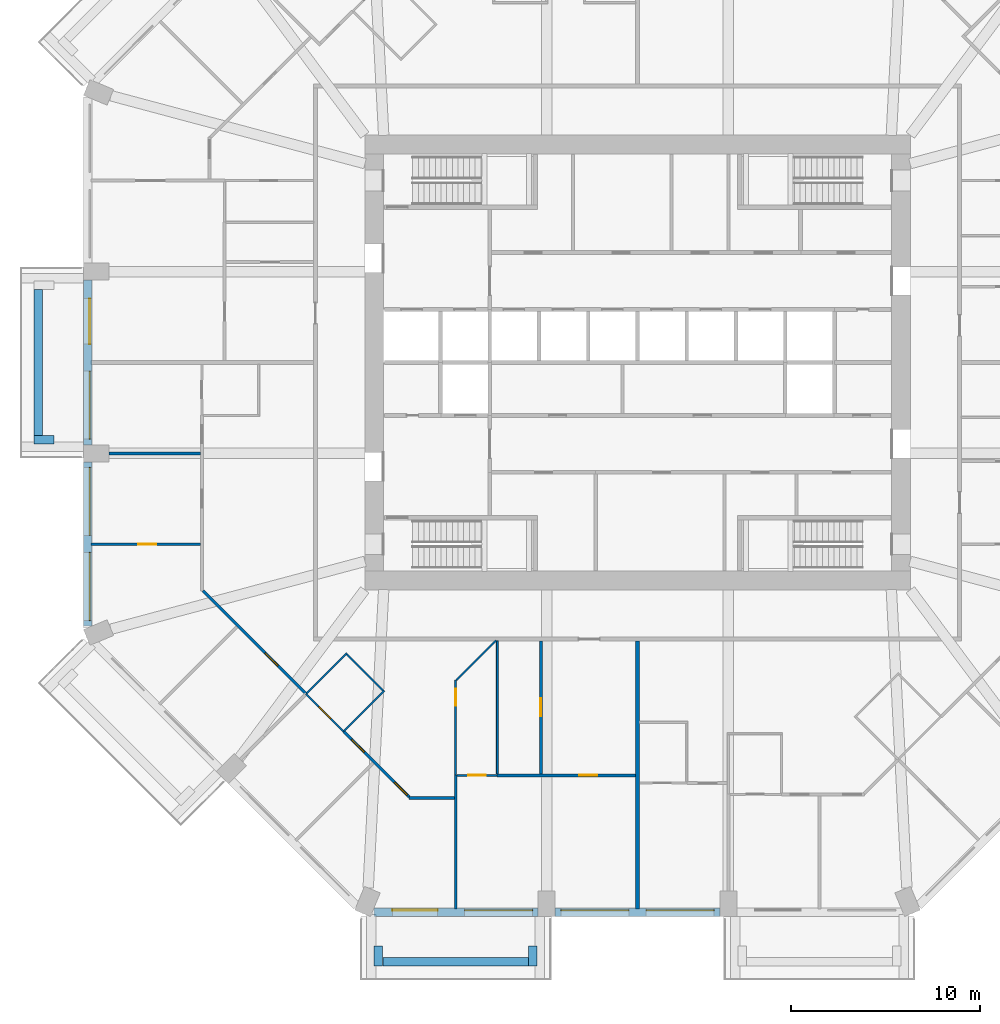
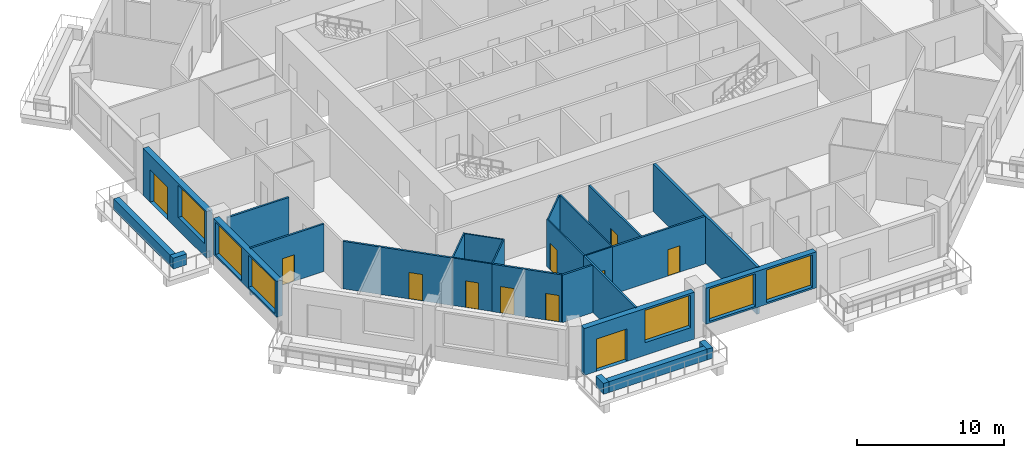
# One storey, part 3 of 13: 26 walls, 11 doors, 6 windows, 17 openings.
"""IFC4 building model written with IfcOpenShell, lengths in metres."""

from ifc_helpers import new_model, si_unit, direction, frame, frame_2d, origin, place, context, subcontext, project, spatial, rectangle, extrude, material, layer, layer_set, type_object, element, fill, save


model = new_model("IFC4")

# Units and contexts
model_context = context("Model", 3, precision=1e-05, world=origin(), true_north=direction((0.0, 1.0)))
body_context = subcontext(model_context, "Body", "Model", "MODEL_VIEW")
ifc_project = project(units=[si_unit("LENGTHUNIT", "METRE"), si_unit("AREAUNIT", "SQUARE_METRE"), si_unit("VOLUMEUNIT", "CUBIC_METRE"), si_unit("PLANEANGLEUNIT", "RADIAN"), si_unit("MASSUNIT", "GRAM", prefix="KILO")], contexts=[model_context])

# Site, building, storey
site_placement = place(None, origin())
site = spatial("IfcSite", under=ifc_project, at=site_placement, CompositionType="ELEMENT")
building_placement = place(site_placement, origin())
building = spatial("IfcBuilding", under=site, at=building_placement, Name="Msitu Wima Residences", CompositionType="ELEMENT")
storey_placement = place(building_placement, frame((0.0, 0.0, 38.10009765625)))
storey = spatial("IfcBuildingStorey", under=building, at=storey_placement, Name="L08", CompositionType="ELEMENT", Elevation=38.10009765625)

# Walls
ifc_material_1 = material(Name="Facing brick")
ifc_layer_1 = layer(ifc_material_1, 0.06494140625, Name="Facing brick")
ifc_material_2 = material(Name="Concrete C40/50", Category="concrete")
ifc_layer_2 = layer(ifc_material_2, 0.156005859375, Name="Concrete C40/50")
ifc_material_3 = material(Name="Waterproofing membrane")
ifc_layer_3 = layer(ifc_material_3, 0.00390625, Name="Waterproofing membrane")
ifc_material_4 = material(Name="Planting soil and planting")
ifc_layer_4 = layer(ifc_material_4, 0.22509765625, Name="Planting soil and planting")
ifc_layer_set_1 = layer_set([ifc_layer_1, ifc_layer_2, ifc_layer_3, ifc_layer_4], Name="Concrete C40/50")
wall_type_1 = type_object("IfcWallType", Name="Balcony planter PLANTER PL450", PredefinedType="USERDEFINED", material=ifc_layer_set_1)
wall_1_placement = place(storey_placement, frame((-31.625, 3.85009765625, 0.0), z_axis=(0.0, 0.0, 1.0), x_axis=(0.0, -1.0, 0.0)))
element("IfcWall", 1, at=wall_1_placement, inside=storey, type_object=wall_type_1, Name="Balcony planter W1 L08", ObjectType="PLANTER", PredefinedType="USERDEFINED", context=body_context, shape_type="SweptSolid", body=[
    extrude(rectangle(XDim=7.7001953125, YDim=0.449951171875, at=frame_2d((3.85009765625, 0.0))), origin(), (0.0, 0.0, 1.0), 0.89990234375),
])
wall_2_placement = place(storey_placement, frame((-30.800048828125, -4.074951171875, 0.0), z_axis=(0.0, 0.0, 1.0), x_axis=(-1.0, 0.0, 0.0)))
element("IfcWall", 2, at=wall_2_placement, inside=storey, type_object=wall_type_1, Name="Balcony planter W1 L08", ObjectType="PLANTER", PredefinedType="USERDEFINED", context=body_context, shape_type="SweptSolid", body=[
    extrude(rectangle(XDim=1.050048828125, YDim=0.449951171875, at=frame_2d((0.52490234375, 0.0))), origin(), (0.0, 0.0, 1.0), 0.89990234375),
])
wall_3_placement = place(storey_placement, frame((-13.449951171875, -31.625, 0.0), z_axis=(0.0, 0.0, 1.0), x_axis=(1.0, 0.0, 0.0)))
element("IfcWall", 3, at=wall_3_placement, inside=storey, type_object=wall_type_1, Name="Balcony planter S0 L08", ObjectType="PLANTER", PredefinedType="USERDEFINED", context=body_context, shape_type="SweptSolid", body=[
    extrude(rectangle(XDim=7.699951171875, YDim=0.449951171875, at=frame_2d((3.85009765625, 0.0))), origin(), (0.0, 0.0, 1.0), 0.89990234375),
])
for number, where, z_axis, x_axis, name in (
    (4, (-13.675048828125, -30.800048828125, 0.0), (0.0, 0.0, 1.0), (0.0, -1.0, 0.0), "Balcony planter S0 L08"),
    (5, (-5.52490234375, -30.800048828125, 0.0), (0.0, 0.0, 1.0), (0.0, -1.0, 0.0), "Balcony planter S0 L08"),
):
    element("IfcWall", number, at=place(storey_placement, frame(where, z_axis=z_axis, x_axis=x_axis)), inside=storey, type_object=wall_type_1, Name=name, ObjectType="PLANTER", PredefinedType="USERDEFINED", context=body_context, shape_type="SweptSolid", body=[
        extrude(rectangle(XDim=1.050048828125, YDim=0.449951171875, at=frame_2d((0.52490234375, 0.0))), origin(), (0.0, 0.0, 1.0), 0.89990234375),
    ])

# Wall, openings, door, window
ifc_material_5 = material(Name="Brick (red buff mix)", Category="masonry")
ifc_layer_5 = layer(ifc_material_5, 0.449951171875)
ifc_layer_set_2 = layer_set([ifc_layer_5], Name="Brick (red buff mix)")
wall_type_2 = type_object("IfcWallType", Name="Brick infill wall BW450", PredefinedType="SOLIDWALL", material=ifc_layer_set_2)
wall_4_placement = place(storey_placement, frame((-29.02490234375, 4.35009765625, 0.0), z_axis=(0.0, 0.0, 1.0), x_axis=(0.0, -1.0, 0.0)))
wall_4 = element("IfcWall", 6, at=wall_4_placement, inside=storey, type_object=wall_type_2, Name="Brick infill wall L08 W1", PredefinedType="SOLIDWALL", context=body_context, shape_type="SweptSolid", body=[
    extrude(rectangle(XDim=8.7001953125, YDim=0.449951171875, at=frame_2d((4.35009765625, 0.0))), origin(), (0.0, 0.0, 1.0), 3.89990234375),
])
opening_1_placement = place(wall_4_placement, frame((0.97509765625, 0.0, 0.0)))
opening_1 = element("IfcOpeningElement", 7, at=opening_1_placement, cuts=wall_4, Name="Opening D08-10.010", PredefinedType="OPENING", context=body_context, shape_type="SweptSolid", body=[
    extrude(rectangle(XDim=2.39990234375, YDim=2.699951171875, at=frame_2d((1.199951171875, 1.35009765625))), frame((0.0, 0.23486328125, 0.0), z_axis=(0.0, -1.0, 0.0), x_axis=(1.0, 0.0, 0.0)), (0.0, 0.0, 1.0), 0.469970703125),
])
opening_2_placement = place(wall_4_placement, frame((4.800048828125, 0.0, 1.050048828125)))
opening_2 = element("IfcOpeningElement", 8, at=opening_2_placement, cuts=wall_4, Name="Opening W08-10.028", PredefinedType="OPENING", context=body_context, shape_type="SweptSolid", body=[
    extrude(rectangle(XDim=3.60009765625, YDim=2.699951171875, at=frame_2d((1.800048828125, 1.35009765625))), frame((0.0, 0.23486328125, 0.0), z_axis=(0.0, -1.0, 0.0), x_axis=(1.0, 0.0, 0.0)), (0.0, 0.0, 1.0), 0.469970703125),
])
ifc_material_6 = material(Name="Anodised aluminium, bronze finish, clear low-emissivity double glazing", Category="aluminium")
door_type_1 = type_object("IfcDoorType", Name="Balcony door D2400x2700", OperationType="SLIDING_TO_LEFT", PredefinedType="DOOR", material=ifc_material_6)
door_1_placement = place(opening_1_placement, origin())
door_1 = element("IfcDoor", 9, at=door_1_placement, inside=storey, type_object=door_type_1, Name="Balcony door L08 W1", OperationType="SINGLE_SWING_LEFT", OverallHeight=2.699951171875, OverallWidth=2.39990234375, PredefinedType="DOOR", context=body_context, shape_type="SweptSolid", body=[
    extrude(rectangle(XDim=2.39990234375, YDim=2.699951171875, at=frame_2d((1.199951171875, 1.35009765625))), frame((0.0, 0.1298828125, 0.0), z_axis=(0.0, -1.0, 0.0), x_axis=(1.0, 0.0, 0.0)), (0.0, 0.0, 1.0), 0.050048828125),
])
fill(opening_1, door_1)
window_type = type_object("IfcWindowType", Name="Window W3600x2700", PartitioningType="DOUBLE_PANEL_VERTICAL", PredefinedType="WINDOW", material=ifc_material_6)
window_1_placement = place(opening_2_placement, origin())
window_1 = element("IfcWindow", 10, at=window_1_placement, inside=storey, type_object=window_type, Name="Window L08 W1.2", OverallHeight=2.699951171875, OverallWidth=3.60009765625, PartitioningType="SINGLE_PANEL", PredefinedType="WINDOW", context=body_context, shape_type="SweptSolid", body=[
    extrude(rectangle(XDim=3.60009765625, YDim=2.699951171875, at=frame_2d((1.800048828125, 1.35009765625))), frame((0.0, 0.135009765625, 0.0), z_axis=(0.0, -1.0, 0.0), x_axis=(1.0, 0.0, 0.0)), (0.0, 0.0, 1.0), 0.06005859375),
])
fill(opening_2, window_1)

# Wall, openings, windows
wall_5_placement = place(storey_placement, frame((-29.02490234375, -5.25, 0.89990234375), z_axis=(0.0, 0.0, 1.0), x_axis=(0.0, -1.0, 0.0)))
wall_5 = element("IfcWall", 11, at=wall_5_placement, inside=storey, type_object=wall_type_2, Name="Brick infill wall L08 W2", PredefinedType="SOLIDWALL", context=body_context, shape_type="SweptSolid", body=[
    extrude(rectangle(XDim=8.662841796875, YDim=0.449951171875, at=frame_2d((4.33154296875, 0.0))), origin(), (0.0, 0.0, 1.0), 3.0),
])
opening_3_placement = place(wall_5_placement, frame((0.281494140625, 0.0, 0.14990234375)))
opening_3 = element("IfcOpeningElement", 12, at=opening_3_placement, cuts=wall_5, Name="Opening W08-10.029", PredefinedType="OPENING", context=body_context, shape_type="SweptSolid", body=[
    extrude(rectangle(XDim=3.60009765625, YDim=2.699951171875, at=frame_2d((1.800048828125, 1.35009765625))), frame((0.0, 0.23486328125, 0.0), z_axis=(0.0, -1.0, 0.0), x_axis=(1.0, 0.0, 0.0)), (0.0, 0.0, 1.0), 0.469970703125),
])
opening_4_placement = place(wall_5_placement, frame((4.781494140625, 0.0, 0.14990234375)))
opening_4 = element("IfcOpeningElement", 13, at=opening_4_placement, cuts=wall_5, Name="Opening W08-10.030", PredefinedType="OPENING", context=body_context, shape_type="SweptSolid", body=[
    extrude(rectangle(XDim=3.60009765625, YDim=2.699951171875, at=frame_2d((1.800048828125, 1.35009765625))), frame((0.0, 0.23486328125, 0.0), z_axis=(0.0, -1.0, 0.0), x_axis=(1.0, 0.0, 0.0)), (0.0, 0.0, 1.0), 0.469970703125),
])
window_2_placement = place(opening_3_placement, origin())
window_2 = element("IfcWindow", 14, at=window_2_placement, inside=storey, type_object=window_type, Name="Window L08 W2.1", OverallHeight=2.699951171875, OverallWidth=3.60009765625, PartitioningType="SINGLE_PANEL", PredefinedType="WINDOW", context=body_context, shape_type="SweptSolid", body=[
    extrude(rectangle(XDim=3.60009765625, YDim=2.699951171875, at=frame_2d((1.800048828125, 1.35009765625))), frame((0.0, 0.135009765625, 0.0), z_axis=(0.0, -1.0, 0.0), x_axis=(1.0, 0.0, 0.0)), (0.0, 0.0, 1.0), 0.06005859375),
])
fill(opening_3, window_2)
window_3_placement = place(opening_4_placement, origin())
window_3 = element("IfcWindow", 15, at=window_3_placement, inside=storey, type_object=window_type, Name="Window L08 W2.2", OverallHeight=2.699951171875, OverallWidth=3.60009765625, PartitioningType="SINGLE_PANEL", PredefinedType="WINDOW", context=body_context, shape_type="SweptSolid", body=[
    extrude(rectangle(XDim=3.60009765625, YDim=2.699951171875, at=frame_2d((1.800048828125, 1.35009765625))), frame((0.0, 0.135009765625, 0.0), z_axis=(0.0, -1.0, 0.0), x_axis=(1.0, 0.0, 0.0)), (0.0, 0.0, 1.0), 0.06005859375),
])
fill(opening_4, window_3)

# Wall, openings, door, window
wall_6_placement = place(storey_placement, frame((-13.912841796875, -29.02490234375, 0.0), z_axis=(0.0, 0.0, 1.0), x_axis=(1.0, 0.0, 0.0)))
wall_6 = element("IfcWall", 16, at=wall_6_placement, inside=storey, type_object=wall_type_2, Name="Brick infill wall L08 S0", PredefinedType="SOLIDWALL", context=body_context, shape_type="SweptSolid", body=[
    extrude(rectangle(XDim=8.662841796875, YDim=0.449951171875, at=frame_2d((4.33154296875, 0.0))), origin(), (0.0, 0.0, 1.0), 3.89990234375),
])
opening_5_placement = place(wall_6_placement, frame((0.9658203125, 0.0, 0.0)))
opening_5 = element("IfcOpeningElement", 17, at=opening_5_placement, cuts=wall_6, Name="Opening D08-10.006", PredefinedType="OPENING", context=body_context, shape_type="SweptSolid", body=[
    extrude(rectangle(XDim=2.39990234375, YDim=2.699951171875, at=frame_2d((1.199951171875, 1.35009765625))), frame((0.0, 0.23486328125, 0.0), z_axis=(0.0, -1.0, 0.0), x_axis=(1.0, 0.0, 0.0)), (0.0, 0.0, 1.0), 0.469970703125),
])
opening_6_placement = place(wall_6_placement, frame((4.781494140625, 0.0, 1.050048828125)))
opening_6 = element("IfcOpeningElement", 18, at=opening_6_placement, cuts=wall_6, Name="Opening W08-10.016", PredefinedType="OPENING", context=body_context, shape_type="SweptSolid", body=[
    extrude(rectangle(XDim=3.60009765625, YDim=2.699951171875, at=frame_2d((1.800048828125, 1.35009765625))), frame((0.0, 0.23486328125, 0.0), z_axis=(0.0, -1.0, 0.0), x_axis=(1.0, 0.0, 0.0)), (0.0, 0.0, 1.0), 0.469970703125),
])
door_2_placement = place(opening_5_placement, origin())
door_2 = element("IfcDoor", 19, at=door_2_placement, inside=storey, type_object=door_type_1, Name="Balcony door L08 S0", OperationType="SINGLE_SWING_LEFT", OverallHeight=2.699951171875, OverallWidth=2.39990234375, PredefinedType="DOOR", context=body_context, shape_type="SweptSolid", body=[
    extrude(rectangle(XDim=2.39990234375, YDim=2.699951171875, at=frame_2d((1.199951171875, 1.35009765625))), frame((0.0, 0.1298828125, 0.0), z_axis=(0.0, -1.0, 0.0), x_axis=(1.0, 0.0, 0.0)), (0.0, 0.0, 1.0), 0.050048828125),
])
fill(opening_5, door_2)
window_4_placement = place(opening_6_placement, origin())
window_4 = element("IfcWindow", 20, at=window_4_placement, inside=storey, type_object=window_type, Name="Window L08 S0.2", OverallHeight=2.699951171875, OverallWidth=3.60009765625, PartitioningType="SINGLE_PANEL", PredefinedType="WINDOW", context=body_context, shape_type="SweptSolid", body=[
    extrude(rectangle(XDim=3.60009765625, YDim=2.699951171875, at=frame_2d((1.800048828125, 1.35009765625))), frame((0.0, 0.135009765625, 0.0), z_axis=(0.0, -1.0, 0.0), x_axis=(1.0, 0.0, 0.0)), (0.0, 0.0, 1.0), 0.06005859375),
])
fill(opening_6, window_4)

# Wall, openings, windows
wall_7_placement = place(storey_placement, frame((-4.35009765625, -29.02490234375, 0.89990234375), z_axis=(0.0, 0.0, 1.0), x_axis=(1.0, 0.0, 0.0)))
wall_7 = element("IfcWall", 21, at=wall_7_placement, inside=storey, type_object=wall_type_2, Name="Brick infill wall L08 S1", PredefinedType="SOLIDWALL", context=body_context, shape_type="SweptSolid", body=[
    extrude(rectangle(XDim=8.7001953125, YDim=0.449951171875, at=frame_2d((4.35009765625, 0.0))), origin(), (0.0, 0.0, 1.0), 3.0),
])
opening_7_placement = place(wall_7_placement, frame((0.300048828125, 0.0, 0.14990234375)))
opening_7 = element("IfcOpeningElement", 22, at=opening_7_placement, cuts=wall_7, Name="Opening W08-10.017", PredefinedType="OPENING", context=body_context, shape_type="SweptSolid", body=[
    extrude(rectangle(XDim=3.60009765625, YDim=2.699951171875, at=frame_2d((1.800048828125, 1.35009765625))), frame((0.0, 0.23486328125, 0.0), z_axis=(0.0, -1.0, 0.0), x_axis=(1.0, 0.0, 0.0)), (0.0, 0.0, 1.0), 0.469970703125),
])
opening_8_placement = place(wall_7_placement, frame((4.800048828125, 0.0, 0.14990234375)))
opening_8 = element("IfcOpeningElement", 23, at=opening_8_placement, cuts=wall_7, Name="Opening W08-10.018", PredefinedType="OPENING", context=body_context, shape_type="SweptSolid", body=[
    extrude(rectangle(XDim=3.60009765625, YDim=2.699951171875, at=frame_2d((1.800048828125, 1.35009765625))), frame((0.0, 0.23486328125, 0.0), z_axis=(0.0, -1.0, 0.0), x_axis=(1.0, 0.0, 0.0)), (0.0, 0.0, 1.0), 0.469970703125),
])
window_5_placement = place(opening_7_placement, origin())
window_5 = element("IfcWindow", 24, at=window_5_placement, inside=storey, type_object=window_type, Name="Window L08 S1.1", OverallHeight=2.699951171875, OverallWidth=3.60009765625, PartitioningType="SINGLE_PANEL", PredefinedType="WINDOW", context=body_context, shape_type="SweptSolid", body=[
    extrude(rectangle(XDim=3.60009765625, YDim=2.699951171875, at=frame_2d((1.800048828125, 1.35009765625))), frame((0.0, 0.135009765625, 0.0), z_axis=(0.0, -1.0, 0.0), x_axis=(1.0, 0.0, 0.0)), (0.0, 0.0, 1.0), 0.06005859375),
])
fill(opening_7, window_5)
window_6_placement = place(opening_8_placement, origin())
window_6 = element("IfcWindow", 25, at=window_6_placement, inside=storey, type_object=window_type, Name="Window L08 S1.2", OverallHeight=2.699951171875, OverallWidth=3.60009765625, PartitioningType="SINGLE_PANEL", PredefinedType="WINDOW", context=body_context, shape_type="SweptSolid", body=[
    extrude(rectangle(XDim=3.60009765625, YDim=2.699951171875, at=frame_2d((1.800048828125, 1.35009765625))), frame((0.0, 0.135009765625, 0.0), z_axis=(0.0, -1.0, 0.0), x_axis=(1.0, 0.0, 0.0)), (0.0, 0.0, 1.0), 0.06005859375),
])
fill(opening_8, window_6)

# Wall, opening, door
ifc_material_7 = material(Name="Plaster")
ifc_layer_6 = layer(ifc_material_7, 0.011962890625, Name="Plaster")
ifc_material_8 = material(Name="Concrete blockwork", Category="masonry")
ifc_layer_7 = layer(ifc_material_8, 0.1259765625, Name="Concrete blockwork")
ifc_layer_8 = layer(ifc_material_7, 0.011962890625, Name="Plaster")
ifc_layer_set_3 = layer_set([ifc_layer_6, ifc_layer_7, ifc_layer_8], Name="Concrete blockwork")
wall_type_3 = type_object("IfcWallType", Name="Partition PW150", PredefinedType="PARTITIONING", material=ifc_layer_set_3)
wall_8_placement = place(storey_placement, frame((-28.85498046875, -9.60009765625, 0.0), z_axis=(0.0, 0.0, 1.0), x_axis=(1.0, 0.0, 0.0)))
wall_8 = element("IfcWall", 26, at=wall_8_placement, inside=storey, type_object=wall_type_3, Name="Partition", PredefinedType="PARTITIONING", context=body_context, shape_type="SweptSolid", body=[
    extrude(rectangle(XDim=5.780029296875, YDim=0.14990234375, at=frame_2d((2.89013671875, 0.0))), origin(), (0.0, 0.0, 1.0), 3.949951171875),
])
opening_9_placement = place(wall_8_placement, frame((2.5, 0.0, 0.0)))
opening_9 = element("IfcOpeningElement", 27, at=opening_9_placement, cuts=wall_8, Name="Opening D08-10.069", PredefinedType="OPENING", context=body_context, shape_type="SweptSolid", body=[
    extrude(rectangle(XDim=0.949951171875, YDim=2.199951171875, at=frame_2d((0.47509765625, 1.10009765625))), frame((0.0, 0.0849609375, 0.0), z_axis=(0.0, -1.0, 0.0), x_axis=(1.0, 0.0, 0.0)), (0.0, 0.0, 1.0), 0.169921875),
])
ifc_material_9 = material(Name="Timber flush door", Category="wood")
door_type_2 = type_object("IfcDoorType", Name="Room door D12 950x2200", OperationType="SINGLE_SWING_LEFT", PredefinedType="DOOR", material=ifc_material_9)
door_3_placement = place(opening_9_placement, origin())
door_3 = element("IfcDoor", 28, at=door_3_placement, inside=storey, type_object=door_type_2, Name="Room door", OperationType="SINGLE_SWING_LEFT", OverallHeight=2.199951171875, OverallWidth=0.949951171875, PredefinedType="DOOR", context=body_context, shape_type="SweptSolid", body=[
    extrude(rectangle(XDim=0.949951171875, YDim=2.199951171875, at=frame_2d((0.47509765625, 1.10009765625))), frame((0.0, 0.02490234375, 0.0), z_axis=(0.0, -1.0, 0.0), x_axis=(1.0, 0.0, 0.0)), (0.0, 0.0, 1.0), 0.050048828125),
])
fill(opening_9, door_3)

# Wall
wall_9_placement = place(storey_placement, frame((-27.89990234375, -4.800048828125, 0.0), z_axis=(0.0, 0.0, 1.0), x_axis=(1.0, 0.0, 0.0)))
element("IfcWall", 29, at=wall_9_placement, inside=storey, type_object=wall_type_3, Name="Partition", PredefinedType="PARTITIONING", context=body_context, shape_type="SweptSolid", body=[
    extrude(rectangle(XDim=4.824951171875, YDim=0.14990234375, at=frame_2d((2.41259765625, 0.0))), origin(), (0.0, 0.0, 1.0), 3.25),
])

# Wall, opening, door
wall_10_placement = place(storey_placement, frame((-22.947021484375, -12.050537109375, 0.0), z_axis=(0.0, 0.0, 1.0), x_axis=(0.707106781187, -0.707106781187, 0.0)))
wall_10 = element("IfcWall", 30, at=wall_10_placement, inside=storey, type_object=wall_type_3, Name="Partition", PredefinedType="PARTITIONING", context=body_context, shape_type="SweptSolid", body=[
    extrude(rectangle(XDim=7.705078125, YDim=0.14990234375, at=frame_2d((3.8525390625, 0.0))), origin(), (0.0, 0.0, 1.0), 3.949951171875),
])
opening_10_placement = place(wall_10_placement, frame((4.64990234375, 0.0, 0.0)))
opening_10 = element("IfcOpeningElement", 31, at=opening_10_placement, cuts=wall_10, Name="Opening D08-10.064", PredefinedType="OPENING", context=body_context, shape_type="SweptSolid", body=[
    extrude(rectangle(XDim=0.949951171875, YDim=2.199951171875, at=frame_2d((0.47509765625, 1.10009765625))), frame((0.0, 0.0849609375, 0.0), z_axis=(0.0, -1.0, 0.0), x_axis=(1.0, 0.0, 0.0)), (0.0, 0.0, 1.0), 0.169921875),
])
door_4_placement = place(opening_10_placement, origin())
door_4 = element("IfcDoor", 32, at=door_4_placement, inside=storey, type_object=door_type_2, Name="Room door", OperationType="SINGLE_SWING_RIGHT", OverallHeight=2.199951171875, OverallWidth=0.949951171875, PredefinedType="DOOR", context=body_context, shape_type="SweptSolid", body=[
    extrude(rectangle(XDim=0.949951171875, YDim=2.199951171875, at=frame_2d((0.47509765625, 1.10009765625))), frame((0.0, 0.02490234375, 0.0), z_axis=(0.0, -1.0, 0.0), x_axis=(1.0, 0.0, 0.0)), (0.0, 0.0, 1.0), 0.050048828125),
])
fill(opening_10, door_4)

# Wall, openings, doors
wall_11_placement = place(storey_placement, frame((-15.518798828125, -19.478759765625, 0.0), z_axis=(0.0, 0.0, 1.0), x_axis=(0.707106781187, -0.707106781187, 0.0)))
wall_11 = element("IfcWall", 33, at=wall_11_placement, inside=storey, type_object=wall_type_3, Name="Partition", PredefinedType="PARTITIONING", context=body_context, shape_type="SweptSolid", body=[
    extrude(rectangle(XDim=4.90478515625, YDim=0.14990234375, at=frame_2d((2.452392578125, 0.0))), origin(), (0.0, 0.0, 1.0), 3.949951171875),
])
opening_11_placement = place(wall_11_placement, frame((0.60009765625, 0.0, 0.0)))
opening_11 = element("IfcOpeningElement", 34, at=opening_11_placement, cuts=wall_11, Name="Opening D08-10.065", PredefinedType="OPENING", context=body_context, shape_type="SweptSolid", body=[
    extrude(rectangle(XDim=0.949951171875, YDim=2.199951171875, at=frame_2d((0.47509765625, 1.10009765625))), frame((0.0, 0.0849609375, 0.0), z_axis=(0.0, -1.0, 0.0), x_axis=(1.0, 0.0, 0.0)), (0.0, 0.0, 1.0), 0.169921875),
])
opening_12_placement = place(wall_11_placement, frame((3.800048828125, 0.0, 0.0)))
opening_12 = element("IfcOpeningElement", 35, at=opening_12_placement, cuts=wall_11, Name="Opening D08-10.070", PredefinedType="OPENING", context=body_context, shape_type="SweptSolid", body=[
    extrude(rectangle(XDim=0.949951171875, YDim=2.199951171875, at=frame_2d((0.47509765625, 1.10009765625))), frame((0.0, 0.0849609375, 0.0), z_axis=(0.0, -1.0, 0.0), x_axis=(1.0, 0.0, 0.0)), (0.0, 0.0, 1.0), 0.169921875),
])
door_5_placement = place(opening_11_placement, origin())
door_5 = element("IfcDoor", 36, at=door_5_placement, inside=storey, type_object=door_type_2, Name="Room door", OperationType="SINGLE_SWING_LEFT", OverallHeight=2.199951171875, OverallWidth=0.949951171875, PredefinedType="DOOR", context=body_context, shape_type="SweptSolid", body=[
    extrude(rectangle(XDim=0.949951171875, YDim=2.199951171875, at=frame_2d((0.47509765625, 1.10009765625))), frame((0.0, 0.02490234375, 0.0), z_axis=(0.0, -1.0, 0.0), x_axis=(1.0, 0.0, 0.0)), (0.0, 0.0, 1.0), 0.050048828125),
])
fill(opening_11, door_5)
door_6_placement = place(opening_12_placement, origin())
door_6 = element("IfcDoor", 37, at=door_6_placement, inside=storey, type_object=door_type_2, Name="Room door", OperationType="SINGLE_SWING_RIGHT", OverallHeight=2.199951171875, OverallWidth=0.949951171875, PredefinedType="DOOR", context=body_context, shape_type="SweptSolid", body=[
    extrude(rectangle(XDim=0.949951171875, YDim=2.199951171875, at=frame_2d((0.47509765625, 1.10009765625))), frame((0.0, 0.02490234375, 0.0), z_axis=(0.0, -1.0, 0.0), x_axis=(1.0, 0.0, 0.0)), (0.0, 0.0, 1.0), 0.050048828125),
])
fill(opening_12, door_6)

# Walls
wall_12_placement = place(storey_placement, frame((-12.072509765625, -23.0, 0.0), z_axis=(0.0, 0.0, 1.0), x_axis=(1.0, 0.0, 0.0)))
element("IfcWall", 38, at=wall_12_placement, inside=storey, type_object=wall_type_3, Name="Partition", PredefinedType="PARTITIONING", context=body_context, shape_type="SweptSolid", body=[
    extrude(rectangle(XDim=2.3974609375, YDim=0.14990234375, at=frame_2d((1.19873046875, 0.0))), origin(), (0.0, 0.0, 1.0), 3.949951171875),
])
wall_13_placement = place(storey_placement, frame((-9.60009765625, -28.85498046875, 0.0), z_axis=(0.0, 0.0, 1.0), x_axis=(0.0, 1.0, 0.0)))
element("IfcWall", 39, at=wall_13_placement, inside=storey, type_object=wall_type_3, Name="Partition", PredefinedType="PARTITIONING", context=body_context, shape_type="SweptSolid", body=[
    extrude(rectangle(XDim=7.074951171875, YDim=0.14990234375, at=frame_2d((3.53759765625, 0.0))), origin(), (0.0, 0.0, 1.0), 3.949951171875),
])

# Wall, opening, door
wall_14_placement = place(storey_placement, frame((-7.419921875, -21.800048828125, 0.0), z_axis=(0.0, 0.0, 1.0), x_axis=(1.0, 0.0, 0.0)))
wall_14 = element("IfcWall", 40, at=wall_14_placement, inside=storey, type_object=wall_type_3, Name="Partition", PredefinedType="PARTITIONING", context=body_context, shape_type="SweptSolid", body=[
    extrude(rectangle(XDim=7.31982421875, YDim=0.14990234375, at=frame_2d((3.659912109375, 0.0))), origin(), (0.0, 0.0, 1.0), 3.949951171875),
])
opening_13_placement = place(wall_14_placement, frame((4.35009765625, 0.0, 0.0)))
opening_13 = element("IfcOpeningElement", 41, at=opening_13_placement, cuts=wall_14, Name="Opening D08-10.058", PredefinedType="OPENING", context=body_context, shape_type="SweptSolid", body=[
    extrude(rectangle(XDim=0.949951171875, YDim=2.199951171875, at=frame_2d((0.47509765625, 1.10009765625))), frame((0.0, 0.0849609375, 0.0), z_axis=(0.0, -1.0, 0.0), x_axis=(1.0, 0.0, 0.0)), (0.0, 0.0, 1.0), 0.169921875),
])
door_7_placement = place(opening_13_placement, origin())
door_7 = element("IfcDoor", 42, at=door_7_placement, inside=storey, type_object=door_type_2, Name="Room door", OperationType="SINGLE_SWING_LEFT", OverallHeight=2.199951171875, OverallWidth=0.949951171875, PredefinedType="DOOR", context=body_context, shape_type="SweptSolid", body=[
    extrude(rectangle(XDim=0.949951171875, YDim=2.199951171875, at=frame_2d((0.47509765625, 1.10009765625))), frame((0.0, 0.02490234375, 0.0), z_axis=(0.0, -1.0, 0.0), x_axis=(1.0, 0.0, 0.0)), (0.0, 0.0, 1.0), 0.050048828125),
])
fill(opening_13, door_7)

wall_15_placement = place(storey_placement, frame((-5.10009765625, -21.72509765625, 0.0), z_axis=(0.0, 0.0, 1.0), x_axis=(0.0, 1.0, 0.0)))
wall_15 = element("IfcWall", 43, at=wall_15_placement, inside=storey, type_object=wall_type_3, Name="Partition", PredefinedType="PARTITIONING", context=body_context, shape_type="SweptSolid", body=[
    extrude(rectangle(XDim=7.025146484375, YDim=0.14990234375, at=frame_2d((3.5126953125, 0.0))), origin(), (0.0, 0.0, 1.0), 3.949951171875),
])
opening_14_placement = place(wall_15_placement, frame((3.050048828125, 0.0, 0.0)))
opening_14 = element("IfcOpeningElement", 44, at=opening_14_placement, cuts=wall_15, Name="Opening D08-10.059", PredefinedType="OPENING", context=body_context, shape_type="SweptSolid", body=[
    extrude(rectangle(XDim=0.949951171875, YDim=2.199951171875, at=frame_2d((0.47509765625, 1.10009765625))), frame((0.0, 0.0849609375, 0.0), z_axis=(0.0, -1.0, 0.0), x_axis=(1.0, 0.0, 0.0)), (0.0, 0.0, 1.0), 0.169921875),
])
door_8_placement = place(opening_14_placement, origin())
door_8 = element("IfcDoor", 45, at=door_8_placement, inside=storey, type_object=door_type_2, Name="Room door", OperationType="SINGLE_SWING_RIGHT", OverallHeight=2.199951171875, OverallWidth=0.949951171875, PredefinedType="DOOR", context=body_context, shape_type="SweptSolid", body=[
    extrude(rectangle(XDim=0.949951171875, YDim=2.199951171875, at=frame_2d((0.47509765625, 1.10009765625))), frame((0.0, 0.02490234375, 0.0), z_axis=(0.0, -1.0, 0.0), x_axis=(1.0, 0.0, 0.0)), (0.0, 0.0, 1.0), 0.050048828125),
])
fill(opening_14, door_8)

# Walls
ifc_layer_9 = layer(ifc_material_7, 0.011962890625, Name="Plaster")
ifc_material_10 = material(Name="Dense concrete blockwork", Category="masonry")
ifc_layer_10 = layer(ifc_material_10, 0.176025390625, Name="Dense concrete blockwork")
ifc_layer_11 = layer(ifc_material_7, 0.011962890625, Name="Plaster")
ifc_layer_set_4 = layer_set([ifc_layer_9, ifc_layer_10, ifc_layer_11], Name="Dense concrete blockwork")
wall_type_4 = type_object("IfcWallType", Name="Party wall PW200", PredefinedType="PARTITIONING", material=ifc_layer_set_4)
wall_16_placement = place(storey_placement, frame((0.0, -28.85498046875, 0.0), z_axis=(0.0, 0.0, 1.0), x_axis=(0.0, 1.0, 0.0)))
element("IfcWall", 46, at=wall_16_placement, inside=storey, type_object=wall_type_4, Name="Party wall", PredefinedType="PARTITIONING", context=body_context, shape_type="SweptSolid", body=[
    extrude(rectangle(XDim=14.155029296875, YDim=0.199951171875, at=frame_2d((7.07763671875, 0.0))), origin(), (0.0, 0.0, 1.0), 3.949951171875),
])
ifc_material_11 = material(Name="Ceramic tiles")
ifc_layer_12 = layer(ifc_material_11, 0.008056640625, Name="Ceramic tiles")
ifc_material_12 = material(Name="Moisture-resistant board")
ifc_layer_13 = layer(ifc_material_12, 0.012451171875, Name="Moisture-resistant board")
ifc_material_13 = material(Name="Light-gauge stud framing with mineral wool")
ifc_layer_14 = layer(ifc_material_13, 0.06689453125, Name="Light-gauge stud framing with mineral wool")
ifc_layer_15 = layer(ifc_material_12, 0.012451171875, Name="Moisture-resistant board")
ifc_layer_set_5 = layer_set([ifc_layer_12, ifc_layer_13, ifc_layer_14, ifc_layer_15], Name="Light-gauge stud framing with mineral wool")
wall_type_5 = type_object("IfcWallType", Name="Wet wall PW100", PredefinedType="PARTITIONING", material=ifc_layer_set_5)
wall_17_placement = place(storey_placement, frame((-17.484619140625, -17.484619140625, 0.0), z_axis=(0.0, 0.0, 1.0), x_axis=(0.707106781187, 0.707106781187, 0.0)))
element("IfcWall", 47, at=wall_17_placement, inside=storey, type_object=wall_type_5, Name="Wet wall", PredefinedType="PARTITIONING", context=body_context, shape_type="SweptSolid", body=[
    extrude(rectangle(XDim=3.030029296875, YDim=0.10009765625, at=frame_2d((1.51513671875, 0.0))), origin(), (0.0, 0.0, 1.0), 3.949951171875),
])

# Wall, opening, door
wall_18_placement = place(storey_placement, frame((-17.498779296875, -17.498779296875, 0.0), z_axis=(0.0, 0.0, 1.0), x_axis=(0.707106781187, -0.707106781187, 0.0)))
wall_18 = element("IfcWall", 48, at=wall_18_placement, inside=storey, type_object=wall_type_5, Name="Wet wall", PredefinedType="PARTITIONING", context=body_context, shape_type="SweptSolid", body=[
    extrude(rectangle(XDim=2.800048828125, YDim=0.10009765625, at=frame_2d((1.39990234375, 0.0))), origin(), (0.0, 0.0, 1.0), 3.949951171875),
])
opening_15_placement = place(wall_18_placement, frame((0.949951171875, 0.0, 0.0)))
opening_15 = element("IfcOpeningElement", 49, at=opening_15_placement, cuts=wall_18, Name="Opening D08-10.066", PredefinedType="OPENING", context=body_context, shape_type="SweptSolid", body=[
    extrude(rectangle(XDim=0.89990234375, YDim=2.199951171875, at=frame_2d((0.449951171875, 1.10009765625))), frame((0.0, 0.06005859375, 0.0), z_axis=(0.0, -1.0, 0.0), x_axis=(1.0, 0.0, 0.0)), (0.0, 0.0, 1.0), 0.1201171875),
])
ifc_material_14 = material(Name="Timber flush door, moisture resistant", Category="wood")
door_type_3 = type_object("IfcDoorType", Name="Bathroom door D03 900x2200", OperationType="SINGLE_SWING_LEFT", PredefinedType="DOOR", material=ifc_material_14)
door_9_placement = place(opening_15_placement, origin())
door_9 = element("IfcDoor", 50, at=door_9_placement, inside=storey, type_object=door_type_3, Name="Bathroom door", OperationType="SINGLE_SWING_LEFT", OverallHeight=2.199951171875, OverallWidth=0.89990234375, PredefinedType="DOOR", context=body_context, shape_type="SweptSolid", body=[
    extrude(rectangle(XDim=0.89990234375, YDim=2.199951171875, at=frame_2d((0.449951171875, 1.10009765625))), frame((0.0, 0.02490234375, 0.0), z_axis=(0.0, -1.0, 0.0), x_axis=(1.0, 0.0, 0.0)), (0.0, 0.0, 1.0), 0.050048828125),
])
fill(opening_15, door_9)

# Walls
wall_19_placement = place(storey_placement, frame((-15.483642578125, -19.443359375, 0.0), z_axis=(0.0, 0.0, 1.0), x_axis=(0.707106781187, 0.707106781187, 0.0)))
element("IfcWall", 51, at=wall_19_placement, inside=storey, type_object=wall_type_5, Name="Wet wall", PredefinedType="PARTITIONING", context=body_context, shape_type="SweptSolid", body=[
    extrude(rectangle(XDim=3.0, YDim=0.10009765625, at=frame_2d((1.5, 0.0))), origin(), (0.0, 0.0, 1.0), 3.949951171875),
])
wall_20_placement = place(storey_placement, frame((-15.342041015625, -15.412841796875, 0.0), z_axis=(0.0, 0.0, 1.0), x_axis=(0.707106781187, -0.707106781187, 0.0)))
element("IfcWall", 52, at=wall_20_placement, inside=storey, type_object=wall_type_5, Name="Wet wall", PredefinedType="PARTITIONING", context=body_context, shape_type="SweptSolid", body=[
    extrude(rectangle(XDim=2.699951171875, YDim=0.10009765625, at=frame_2d((1.35009765625, 0.0))), origin(), (0.0, 0.0, 1.0), 3.949951171875),
])

# Wall, opening, door
wall_21_placement = place(storey_placement, frame((-9.60009765625, -21.780029296875, 0.0), z_axis=(0.0, 0.0, 1.0), x_axis=(0.0, 1.0, 0.0)))
wall_21 = element("IfcWall", 53, at=wall_21_placement, inside=storey, type_object=wall_type_5, Name="Wet wall", PredefinedType="PARTITIONING", context=body_context, shape_type="SweptSolid", body=[
    extrude(rectangle(XDim=5.030029296875, YDim=0.10009765625, at=frame_2d((2.51513671875, 0.0))), origin(), (0.0, 0.0, 1.0), 3.949951171875),
])
opening_16_placement = place(wall_21_placement, frame((3.64990234375, 0.0, 0.0)))
opening_16 = element("IfcOpeningElement", 54, at=opening_16_placement, cuts=wall_21, Name="Opening D08-10.061", PredefinedType="OPENING", context=body_context, shape_type="SweptSolid", body=[
    extrude(rectangle(XDim=0.89990234375, YDim=2.199951171875, at=frame_2d((0.449951171875, 1.10009765625))), frame((0.0, 0.06005859375, 0.0), z_axis=(0.0, -1.0, 0.0), x_axis=(1.0, 0.0, 0.0)), (0.0, 0.0, 1.0), 0.1201171875),
])
door_10_placement = place(opening_16_placement, origin())
door_10 = element("IfcDoor", 55, at=door_10_placement, inside=storey, type_object=door_type_3, Name="Bathroom door", OperationType="SINGLE_SWING_LEFT", OverallHeight=2.199951171875, OverallWidth=0.89990234375, PredefinedType="DOOR", context=body_context, shape_type="SweptSolid", body=[
    extrude(rectangle(XDim=0.89990234375, YDim=2.199951171875, at=frame_2d((0.449951171875, 1.10009765625))), frame((0.0, 0.02490234375, 0.0), z_axis=(0.0, -1.0, 0.0), x_axis=(1.0, 0.0, 0.0)), (0.0, 0.0, 1.0), 0.050048828125),
])
fill(opening_16, door_10)

wall_22_placement = place(storey_placement, frame((-9.52490234375, -21.800048828125, 0.0), z_axis=(0.0, 0.0, 1.0), x_axis=(1.0, 0.0, 0.0)))
wall_22 = element("IfcWall", 56, at=wall_22_placement, inside=storey, type_object=wall_type_5, Name="Wet wall", PredefinedType="PARTITIONING", context=body_context, shape_type="SweptSolid", body=[
    extrude(rectangle(XDim=2.10498046875, YDim=0.10009765625, at=frame_2d((1.052490234375, 0.0))), origin(), (0.0, 0.0, 1.0), 3.949951171875),
])
opening_17_placement = place(wall_22_placement, frame((0.60009765625, 0.0, 0.0)))
opening_17 = element("IfcOpeningElement", 57, at=opening_17_placement, cuts=wall_22, Name="Opening D08-10.060", PredefinedType="OPENING", context=body_context, shape_type="SweptSolid", body=[
    extrude(rectangle(XDim=0.89990234375, YDim=2.199951171875, at=frame_2d((0.449951171875, 1.10009765625))), frame((0.0, 0.06005859375, 0.0), z_axis=(0.0, -1.0, 0.0), x_axis=(1.0, 0.0, 0.0)), (0.0, 0.0, 1.0), 0.1201171875),
])
door_11_placement = place(opening_17_placement, origin())
door_11 = element("IfcDoor", 58, at=door_11_placement, inside=storey, type_object=door_type_3, Name="Bathroom door", OperationType="SINGLE_SWING_RIGHT", OverallHeight=2.199951171875, OverallWidth=0.89990234375, PredefinedType="DOOR", context=body_context, shape_type="SweptSolid", body=[
    extrude(rectangle(XDim=0.89990234375, YDim=2.199951171875, at=frame_2d((0.449951171875, 1.10009765625))), frame((0.0, 0.02490234375, 0.0), z_axis=(0.0, -1.0, 0.0), x_axis=(1.0, 0.0, 0.0)), (0.0, 0.0, 1.0), 0.050048828125),
])
fill(opening_17, door_11)

# Walls
wall_23_placement = place(storey_placement, frame((-9.564697265625, -16.7646484375, 0.0), z_axis=(0.0, 0.0, 1.0), x_axis=(0.707106781187, 0.707106781187, 0.0)))
element("IfcWall", 59, at=wall_23_placement, inside=storey, type_object=wall_type_5, Name="Wet wall", PredefinedType="PARTITIONING", context=body_context, shape_type="SweptSolid", body=[
    extrude(rectangle(XDim=2.96142578125, YDim=0.10009765625, at=frame_2d((1.480712890625, 0.0))), origin(), (0.0, 0.0, 1.0), 3.949951171875),
])
wall_24_placement = place(storey_placement, frame((-7.39990234375, -21.72509765625, 0.0), z_axis=(0.0, 0.0, 1.0), x_axis=(0.0, 1.0, 0.0)))
element("IfcWall", 60, at=wall_24_placement, inside=storey, type_object=wall_type_5, Name="Wet wall", PredefinedType="PARTITIONING", context=body_context, shape_type="SweptSolid", body=[
    extrude(rectangle(XDim=7.025146484375, YDim=0.10009765625, at=frame_2d((3.5126953125, 0.0))), origin(), (0.0, 0.0, 1.0), 3.949951171875),
])

save(model, "model.ifc")
